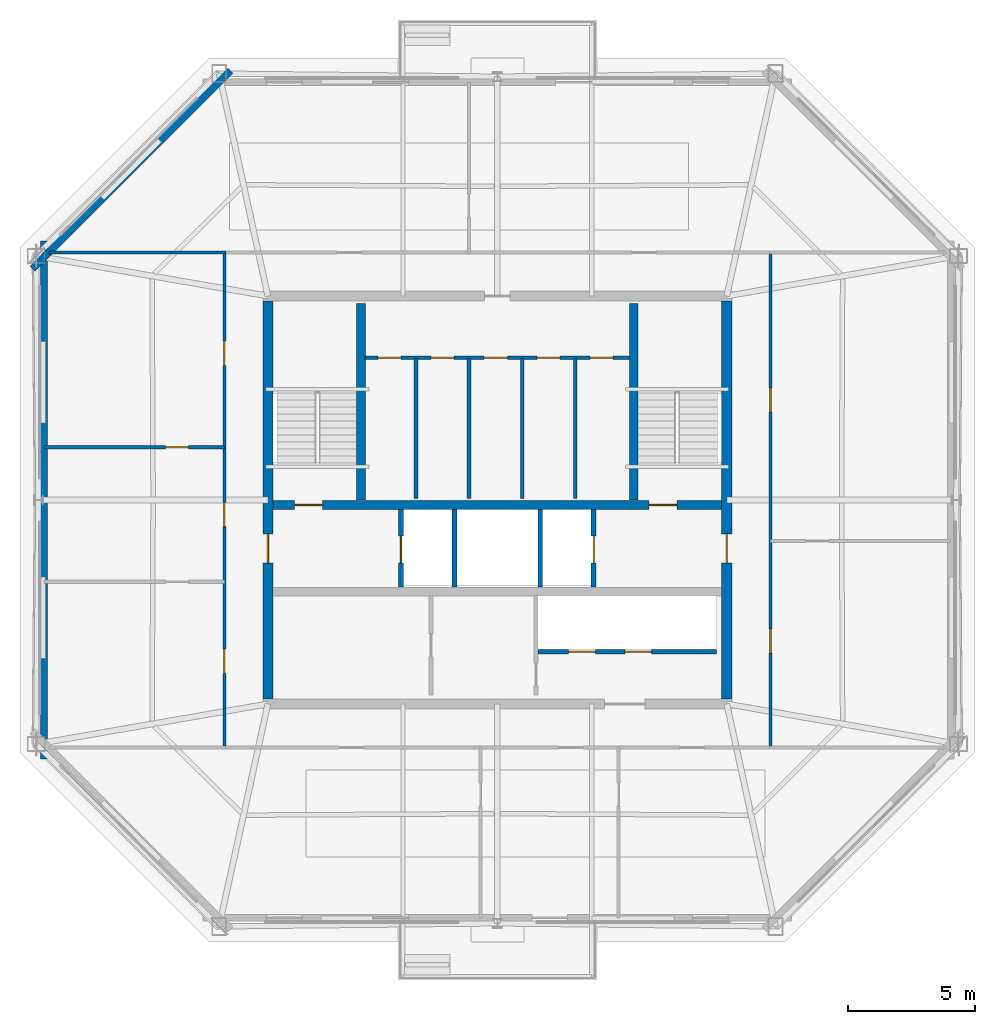
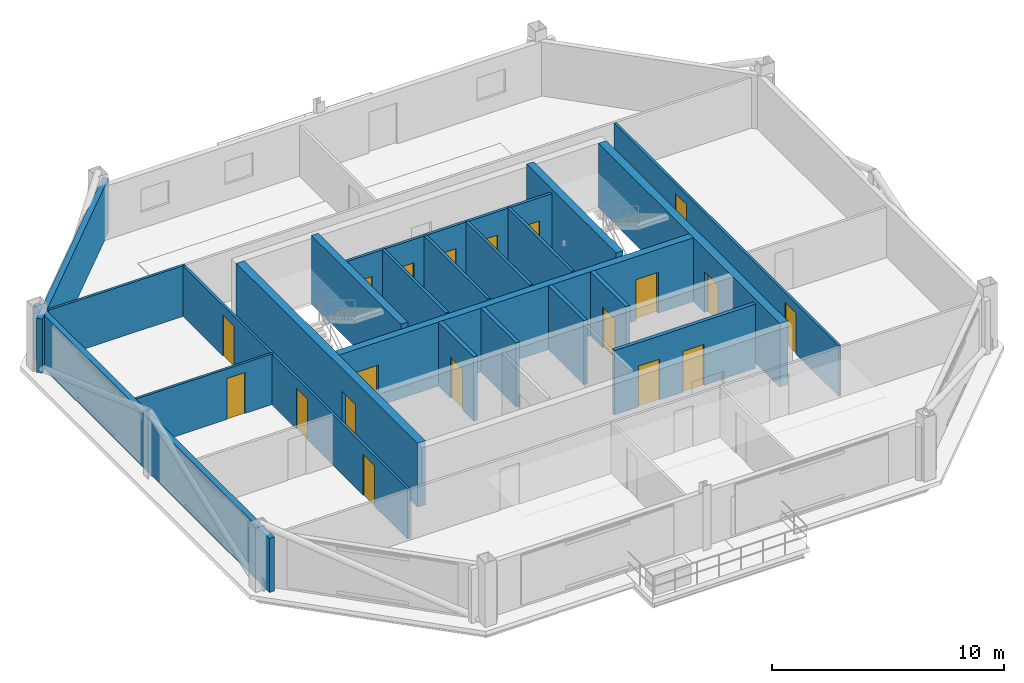
# One storey, part 3 of 6: 21 walls, 19 doors, 19 openings.
"""IFC4 building model written with IfcOpenShell, lengths in metres."""

from ifc_helpers import new_model, si_unit, direction, frame, frame_2d, origin, place, context, subcontext, project, spatial, rectangle, extrude, material, layer, layer_set, type_object, element, fill, save


model = new_model("IFC4")

# Units and contexts
model_context = context("Model", 3, precision=1e-05, world=origin(), true_north=direction((0.0, 1.0)))
body_context = subcontext(model_context, "Body", "Model", "MODEL_VIEW")
ifc_project = project(units=[si_unit("LENGTHUNIT", "METRE"), si_unit("AREAUNIT", "SQUARE_METRE"), si_unit("VOLUMEUNIT", "CUBIC_METRE"), si_unit("PLANEANGLEUNIT", "RADIAN"), si_unit("MASSUNIT", "GRAM", prefix="KILO")], contexts=[model_context])

# Site, building, storey
site_placement = place(None, origin())
site = spatial("IfcSite", under=ifc_project, at=site_placement, CompositionType="ELEMENT")
building_placement = place(site_placement, origin())
building = spatial("IfcBuilding", under=site, at=building_placement, Name="Caelvoria Tower", CompositionType="ELEMENT")
storey_placement = place(building_placement, frame((0.0, 0.0, 261.0)))
storey = spatial("IfcBuildingStorey", under=building, at=storey_placement, Name="L69", CompositionType="ELEMENT", Elevation=261.0)

# Wall, openings, doors
ifc_material_1 = material(Name="Concrete C50/60", Category="concrete")
ifc_layer_1 = layer(ifc_material_1, 0.35009765625, Name="Concrete C50/60")
ifc_layer_set_1 = layer_set([ifc_layer_1], Name="Core Internal Shear Wall 350 - Concrete C50/60")
wall_type_1 = type_object("IfcWallType", Name="Core Internal Shear Wall 350", PredefinedType="SHEAR", material=ifc_layer_set_1)
wall_1_placement = place(storey_placement, frame((37.199951171875, 31.800048828125, 0.0), z_axis=(0.0, 0.0, 1.0), x_axis=(1.0, 0.0, 0.0)))
wall_1 = element("IfcWall", 1, at=wall_1_placement, inside=storey, type_object=wall_type_1, Name="Core Shear Wall L69 M1", PredefinedType="SHEAR", context=body_context, shape_type="SweptSolid", body=[
    extrude(rectangle(XDim=17.60009765625, YDim=0.35009765625, at=frame_2d((8.800048828125, 0.0))), origin(), (0.0, 0.0, 1.0), 3.360107421875),
])
opening_1_placement = place(wall_1_placement, frame((0.85009765625, 0.0, 0.0)))
opening_1 = element("IfcOpeningElement", 2, at=opening_1_placement, cuts=wall_1, Name="Opening ID-01", PredefinedType="OPENING", context=body_context, shape_type="SweptSolid", body=[
    extrude(rectangle(XDim=1.10009765625, YDim=2.14990234375, at=frame_2d((0.550048828125, 1.074951171875))), frame((0.0, 0.18505859375, 0.0), z_axis=(0.0, -1.0, 0.0), x_axis=(1.0, 0.0, 0.0)), (0.0, 0.0, 1.0), 0.3701171875),
])
opening_2_placement = place(wall_1_placement, frame((14.75, 0.0, 0.0)))
opening_2 = element("IfcOpeningElement", 3, at=opening_2_placement, cuts=wall_1, Name="Opening ID-01", PredefinedType="OPENING", context=body_context, shape_type="SweptSolid", body=[
    extrude(rectangle(XDim=1.10009765625, YDim=2.14990234375, at=frame_2d((0.550048828125, 1.074951171875))), frame((0.0, 0.18505859375, 0.0), z_axis=(0.0, -1.0, 0.0), x_axis=(1.0, 0.0, 0.0)), (0.0, 0.0, 1.0), 0.3701171875),
])
ifc_material_2 = material(Name="Painted Hollow Steel Fire Door", Category="steel")
door_type_1 = type_object("IfcDoorType", Name="Fire Door FD90S 1100x2150", OperationType="NOTDEFINED", PredefinedType="DOOR", material=ifc_material_2)
door_1_placement = place(opening_1_placement, origin())
door_1 = element("IfcDoor", 4, at=door_1_placement, inside=storey, type_object=door_type_1, Name="Core Door DR-L69-ST1", OperationType="SINGLE_SWING_LEFT", OverallHeight=2.14990234375, OverallWidth=1.10009765625, PredefinedType="DOOR", context=body_context, shape_type="SweptSolid", body=[
    extrude(rectangle(XDim=1.10009765625, YDim=2.14990234375, at=frame_2d((0.550048828125, 1.074951171875))), frame((0.0, 0.02490234375, 0.0), z_axis=(0.0, -1.0, 0.0), x_axis=(1.0, 0.0, 0.0)), (0.0, 0.0, 1.0), 0.050048828125),
])
fill(opening_1, door_1)
door_2_placement = place(opening_2_placement, origin())
door_2 = element("IfcDoor", 5, at=door_2_placement, inside=storey, type_object=door_type_1, Name="Core Door DR-L69-ST2", OperationType="SINGLE_SWING_RIGHT", OverallHeight=2.14990234375, OverallWidth=1.10009765625, PredefinedType="DOOR", context=body_context, shape_type="SweptSolid", body=[
    extrude(rectangle(XDim=1.10009765625, YDim=2.14990234375, at=frame_2d((0.550048828125, 1.074951171875))), frame((0.0, 0.02490234375, 0.0), z_axis=(0.0, -1.0, 0.0), x_axis=(1.0, 0.0, 0.0)), (0.0, 0.0, 1.0), 0.050048828125),
])
fill(opening_2, door_2)

# Walls
for number, where, z_axis, x_axis, name in (
    (6, (40.64990234375, 32.0, 0.0), (0.0, 0.0, 1.0), (0.0, 1.0, 0.0), "Interior Partition IW-L69-ST1E"),
    (7, (51.35009765625, 32.0, 0.0), (0.0, 0.0, 1.0), (0.0, 1.0, 0.0), "Interior Partition IW-L69-ST2W"),
):
    element("IfcWall", number, at=place(storey_placement, frame(where, z_axis=z_axis, x_axis=x_axis)), inside=storey, type_object=wall_type_1, Name=name, PredefinedType="SHEAR", context=body_context, shape_type="SweptSolid", body=[
        extrude(rectangle(XDim=7.699951171875, YDim=0.35009765625, at=frame_2d((3.85009765625, 0.0))), origin(), (0.0, 0.0, 1.0), 3.60009765625),
    ])
ifc_material_3 = material(Name="Moisture-Resistant Gypsum on Steel Stud", Category="steel")
ifc_layer_2 = layer(ifc_material_3, 0.139892578125, Name="Moisture-Resistant Gypsum on Steel Stud")
ifc_layer_set_2 = layer_set([ifc_layer_2], Name="Core Sanitary Acoustic Partition Wall 140 - Moisture-Resistant Gypsum on Steel Stud")
wall_type_2 = type_object("IfcWallType", Name="Core Sanitary Acoustic Partition Wall 140", PredefinedType="PARTITIONING", material=ifc_layer_set_2)
for number, where, z_axis, x_axis, name in (
    (8, (42.81005859375, 32.050048828125, 0.0), (0.0, 0.0, 1.0), (0.0, 1.0, 0.0), "Interior Partition IW-L69-C1V0"),
    (9, (44.889892578125, 32.050048828125, 0.0), (0.0, 0.0, 1.0), (0.0, 1.0, 0.0), "Interior Partition IW-L69-C1V1"),
    (10, (46.969970703125, 32.050048828125, 0.0), (0.0, 0.0, 1.0), (0.0, 1.0, 0.0), "Interior Partition IW-L69-C1V2"),
    (11, (49.050048828125, 32.050048828125, 0.0), (0.0, 0.0, 1.0), (0.0, 1.0, 0.0), "Interior Partition IW-L69-C1V3"),
):
    element("IfcWall", number, at=place(storey_placement, frame(where, z_axis=z_axis, x_axis=x_axis)), inside=storey, type_object=wall_type_2, Name=name, PredefinedType="PARTITIONING", context=body_context, shape_type="SweptSolid", body=[
        extrude(rectangle(XDim=5.5, YDim=0.139892578125, at=frame_2d((2.75, 0.0))), origin(), (0.0, 0.0, 1.0), 3.375),
    ])

# Wall, openings, doors
wall_2_placement = place(storey_placement, frame((40.800048828125, 37.580078125, 0.0), z_axis=(0.0, 0.0, 1.0), x_axis=(1.0, 0.0, 0.0)))
wall_2 = element("IfcWall", 12, at=wall_2_placement, inside=storey, type_object=wall_type_2, Name="Interior Partition IW-L69-C1H", PredefinedType="PARTITIONING", context=body_context, shape_type="SweptSolid", body=[
    extrude(rectangle(XDim=10.39990234375, YDim=0.139892578125, at=frame_2d((5.199951171875, 0.0))), origin(), (0.0, 0.0, 1.0), 3.375),
])
opening_3_placement = place(wall_2_placement, frame((0.52001953125, 0.0, 0.0)))
opening_3 = element("IfcOpeningElement", 13, at=opening_3_placement, cuts=wall_2, Name="Opening ID-06", PredefinedType="OPENING", context=body_context, shape_type="SweptSolid", body=[
    extrude(rectangle(XDim=0.89990234375, YDim=2.14990234375, at=frame_2d((0.449951171875, 1.074951171875))), frame((0.0, 0.079833984375, 0.0), z_axis=(0.0, -1.0, 0.0), x_axis=(1.0, 0.0, 0.0)), (0.0, 0.0, 1.0), 0.159912109375),
])
opening_4_placement = place(wall_2_placement, frame((2.60009765625, 0.0, 0.0)))
opening_4 = element("IfcOpeningElement", 14, at=opening_4_placement, cuts=wall_2, Name="Opening ID-06", PredefinedType="OPENING", context=body_context, shape_type="SweptSolid", body=[
    extrude(rectangle(XDim=0.89990234375, YDim=2.14990234375, at=frame_2d((0.449951171875, 1.074951171875))), frame((0.0, 0.079833984375, 0.0), z_axis=(0.0, -1.0, 0.0), x_axis=(1.0, 0.0, 0.0)), (0.0, 0.0, 1.0), 0.159912109375),
])
opening_5_placement = place(wall_2_placement, frame((4.679931640625, 0.0, 0.0)))
opening_5 = element("IfcOpeningElement", 15, at=opening_5_placement, cuts=wall_2, Name="Opening ID-07", PredefinedType="OPENING", context=body_context, shape_type="SweptSolid", body=[
    extrude(rectangle(XDim=0.919921875, YDim=2.14990234375, at=frame_2d((0.4599609375, 1.074951171875))), frame((0.0, 0.079833984375, 0.0), z_axis=(0.0, -1.0, 0.0), x_axis=(1.0, 0.0, 0.0)), (0.0, 0.0, 1.0), 0.159912109375),
])
opening_6_placement = place(wall_2_placement, frame((6.760009765625, 0.0, 0.0)))
opening_6 = element("IfcOpeningElement", 16, at=opening_6_placement, cuts=wall_2, Name="Opening ID-06", PredefinedType="OPENING", context=body_context, shape_type="SweptSolid", body=[
    extrude(rectangle(XDim=0.89990234375, YDim=2.14990234375, at=frame_2d((0.449951171875, 1.074951171875))), frame((0.0, 0.079833984375, 0.0), z_axis=(0.0, -1.0, 0.0), x_axis=(1.0, 0.0, 0.0)), (0.0, 0.0, 1.0), 0.159912109375),
])
opening_7_placement = place(wall_2_placement, frame((8.840087890625, 0.0, 0.0)))
opening_7 = element("IfcOpeningElement", 17, at=opening_7_placement, cuts=wall_2, Name="Opening ID-06", PredefinedType="OPENING", context=body_context, shape_type="SweptSolid", body=[
    extrude(rectangle(XDim=0.89990234375, YDim=2.14990234375, at=frame_2d((0.449951171875, 1.074951171875))), frame((0.0, 0.079833984375, 0.0), z_axis=(0.0, -1.0, 0.0), x_axis=(1.0, 0.0, 0.0)), (0.0, 0.0, 1.0), 0.159912109375),
])
ifc_material_4 = material(Name="Engineered Andean Oak Accessible Door", Category="wood")
door_type_2 = type_object("IfcDoorType", Name="Accessible WC Door 950x2150", OperationType="NOTDEFINED", PredefinedType="DOOR", material=ifc_material_4)
door_3_placement = place(opening_5_placement, origin())
door_3 = element("IfcDoor", 18, at=door_3_placement, inside=storey, type_object=door_type_2, Name="Interior Door DR-L69-C1-3", OperationType="SINGLE_SWING_LEFT", OverallHeight=2.14990234375, OverallWidth=0.919921875, PredefinedType="DOOR", context=body_context, shape_type="SweptSolid", body=[
    extrude(rectangle(XDim=0.919921875, YDim=2.14990234375, at=frame_2d((0.4599609375, 1.074951171875))), frame((0.0, 0.02490234375, 0.0), z_axis=(0.0, -1.0, 0.0), x_axis=(1.0, 0.0, 0.0)), (0.0, 0.0, 1.0), 0.050048828125),
])
fill(opening_5, door_3)
ifc_material_5 = material(Name="Engineered Andean Oak Veneer Door", Category="wood")
door_type_3 = type_object("IfcDoorType", Name="Interior Timber Door 900x2150", OperationType="NOTDEFINED", PredefinedType="DOOR", material=ifc_material_5)
door_4_placement = place(opening_3_placement, origin())
door_4 = element("IfcDoor", 19, at=door_4_placement, inside=storey, type_object=door_type_3, Name="Interior Door DR-L69-C1-1", OperationType="SINGLE_SWING_LEFT", OverallHeight=2.14990234375, OverallWidth=0.89990234375, PredefinedType="DOOR", context=body_context, shape_type="SweptSolid", body=[
    extrude(rectangle(XDim=0.89990234375, YDim=2.14990234375, at=frame_2d((0.449951171875, 1.074951171875))), frame((0.0, 0.02490234375, 0.0), z_axis=(0.0, -1.0, 0.0), x_axis=(1.0, 0.0, 0.0)), (0.0, 0.0, 1.0), 0.050048828125),
])
fill(opening_3, door_4)
door_5_placement = place(opening_4_placement, origin())
door_5 = element("IfcDoor", 20, at=door_5_placement, inside=storey, type_object=door_type_3, Name="Interior Door DR-L69-C1-2", OperationType="SINGLE_SWING_RIGHT", OverallHeight=2.14990234375, OverallWidth=0.89990234375, PredefinedType="DOOR", context=body_context, shape_type="SweptSolid", body=[
    extrude(rectangle(XDim=0.89990234375, YDim=2.14990234375, at=frame_2d((0.449951171875, 1.074951171875))), frame((0.0, 0.02490234375, 0.0), z_axis=(0.0, -1.0, 0.0), x_axis=(1.0, 0.0, 0.0)), (0.0, 0.0, 1.0), 0.050048828125),
])
fill(opening_4, door_5)
door_6_placement = place(opening_6_placement, origin())
door_6 = element("IfcDoor", 21, at=door_6_placement, inside=storey, type_object=door_type_3, Name="Interior Door DR-L69-C1-4", OperationType="SINGLE_SWING_RIGHT", OverallHeight=2.14990234375, OverallWidth=0.89990234375, PredefinedType="DOOR", context=body_context, shape_type="SweptSolid", body=[
    extrude(rectangle(XDim=0.89990234375, YDim=2.14990234375, at=frame_2d((0.449951171875, 1.074951171875))), frame((0.0, 0.02490234375, 0.0), z_axis=(0.0, -1.0, 0.0), x_axis=(1.0, 0.0, 0.0)), (0.0, 0.0, 1.0), 0.050048828125),
])
fill(opening_6, door_6)
door_7_placement = place(opening_7_placement, origin())
door_7 = element("IfcDoor", 22, at=door_7_placement, inside=storey, type_object=door_type_3, Name="Interior Door DR-L69-C1-5", OperationType="SINGLE_SWING_LEFT", OverallHeight=2.14990234375, OverallWidth=0.89990234375, PredefinedType="DOOR", context=body_context, shape_type="SweptSolid", body=[
    extrude(rectangle(XDim=0.89990234375, YDim=2.14990234375, at=frame_2d((0.449951171875, 1.074951171875))), frame((0.0, 0.02490234375, 0.0), z_axis=(0.0, -1.0, 0.0), x_axis=(1.0, 0.0, 0.0)), (0.0, 0.0, 1.0), 0.050048828125),
])
fill(opening_7, door_7)

# Walls
ifc_material_6 = material(Name="Concrete Block and Fireboard Assembly", Category="concrete")
ifc_layer_3 = layer(ifc_material_6, 0.179931640625, Name="Concrete Block and Fireboard Assembly")
ifc_layer_set_3 = layer_set([ifc_layer_3], Name="Fire-Rated Hoistway Partition Wall 180 - Concrete Block and Fireboard Assembly")
wall_type_3 = type_object("IfcWallType", Name="Fire-Rated Hoistway Partition Wall 180", PredefinedType="PARTITIONING", material=ifc_layer_set_3)
for number, where, z_axis, x_axis, name in (
    (23, (44.320068359375, 28.580078125, 0.0), (0.0, 0.0, 1.0), (0.0, 1.0, 0.0), "Interior Partition IW-L69-SV1W"),
    (24, (47.679931640625, 28.580078125, 0.0), (0.0, 0.0, 1.0), (0.0, 1.0, 0.0), "Interior Partition IW-L69-SV1E"),
):
    element("IfcWall", number, at=place(storey_placement, frame(where, z_axis=z_axis, x_axis=x_axis)), inside=storey, type_object=wall_type_3, Name=name, PredefinedType="PARTITIONING", context=body_context, shape_type="SweptSolid", body=[
        extrude(rectangle(XDim=3.0400390625, YDim=0.179931640625, at=frame_2d((1.52001953125, 0.0))), origin(), (0.0, 0.0, 1.0), 3.375),
    ])

# Wall, openings, doors
wall_3_placement = place(storey_placement, frame((47.60009765625, 26.050048828125, 0.0), z_axis=(0.0, 0.0, 1.0), x_axis=(1.0, 0.0, 0.0)))
wall_3 = element("IfcWall", 25, at=wall_3_placement, inside=storey, type_object=wall_type_3, Name="Interior Partition IW-L69-LFRONT", PredefinedType="PARTITIONING", context=body_context, shape_type="SweptSolid", body=[
    extrude(rectangle(XDim=7.0, YDim=0.179931640625, at=frame_2d((3.5, 0.0))), origin(), (0.0, 0.0, 1.0), 3.375),
])
opening_8_placement = place(wall_3_placement, frame((1.199951171875, 0.0, 0.0)))
opening_8 = element("IfcOpeningElement", 26, at=opening_8_placement, cuts=wall_3, Name="Opening LD-01", PredefinedType="OPENING", context=body_context, shape_type="SweptSolid", body=[
    extrude(rectangle(XDim=1.050048828125, YDim=2.14990234375, at=frame_2d((0.52490234375, 1.074951171875))), frame((0.0, 0.099853515625, 0.0), z_axis=(0.0, -1.0, 0.0), x_axis=(1.0, 0.0, 0.0)), (0.0, 0.0, 1.0), 0.199951171875),
])
opening_9_placement = place(wall_3_placement, frame((3.39990234375, 0.0, 0.0)))
opening_9 = element("IfcOpeningElement", 27, at=opening_9_placement, cuts=wall_3, Name="Opening LD-01", PredefinedType="OPENING", context=body_context, shape_type="SweptSolid", body=[
    extrude(rectangle(XDim=1.050048828125, YDim=2.14990234375, at=frame_2d((0.52490234375, 1.074951171875))), frame((0.0, 0.099853515625, 0.0), z_axis=(0.0, -1.0, 0.0), x_axis=(1.0, 0.0, 0.0)), (0.0, 0.0, 1.0), 0.199951171875),
])
ifc_material_7 = material(Name="Brushed Bronze Stainless Sliding Landing Door", Category="aluminium")
door_type_4 = type_object("IfcDoorType", Name="Lift Landing Sliding Door 1100x2150", OperationType="NOTDEFINED", PredefinedType="DOOR", material=ifc_material_7)
door_8_placement = place(opening_8_placement, origin())
door_8 = element("IfcDoor", 28, at=door_8_placement, inside=storey, type_object=door_type_4, Name="Interior Door LD-L69-PH1", OperationType="SLIDING_TO_LEFT", OverallHeight=2.14990234375, OverallWidth=1.050048828125, PredefinedType="DOOR", context=body_context, shape_type="SweptSolid", body=[
    extrude(rectangle(XDim=1.050048828125, YDim=2.14990234375, at=frame_2d((0.52490234375, 1.074951171875))), frame((0.0, 0.02490234375, 0.0), z_axis=(0.0, -1.0, 0.0), x_axis=(1.0, 0.0, 0.0)), (0.0, 0.0, 1.0), 0.050048828125),
])
fill(opening_8, door_8)
door_9_placement = place(opening_9_placement, origin())
door_9 = element("IfcDoor", 29, at=door_9_placement, inside=storey, type_object=door_type_4, Name="Interior Door LD-L69-PH2", OperationType="SLIDING_TO_RIGHT", OverallHeight=2.14990234375, OverallWidth=1.050048828125, PredefinedType="DOOR", context=body_context, shape_type="SweptSolid", body=[
    extrude(rectangle(XDim=1.050048828125, YDim=2.14990234375, at=frame_2d((0.52490234375, 1.074951171875))), frame((0.0, 0.02490234375, 0.0), z_axis=(0.0, -1.0, 0.0), x_axis=(1.0, 0.0, 0.0)), (0.0, 0.0, 1.0), 0.050048828125),
])
fill(opening_9, door_9)

# Wall, opening, door
ifc_layer_4 = layer(ifc_material_6, 0.199951171875, Name="Concrete Block and Fireboard Assembly")
ifc_layer_set_4 = layer_set([ifc_layer_4], Name="Fire-Rated Shaft and Core Partition Wall 200 - Concrete Block and Fireboard Assembly")
wall_type_4 = type_object("IfcWallType", Name="Fire-Rated Shaft and Core Partition Wall 200", PredefinedType="PARTITIONING", material=ifc_layer_set_4)
wall_4_placement = place(storey_placement, frame((42.219970703125, 28.580078125, 0.0), z_axis=(0.0, 0.0, 1.0), x_axis=(0.0, 1.0, 0.0)))
wall_4 = element("IfcWall", 30, at=wall_4_placement, inside=storey, type_object=wall_type_4, Name="Interior Partition IW-L69-LF1W", PredefinedType="PARTITIONING", context=body_context, shape_type="SweptSolid", body=[
    extrude(rectangle(XDim=3.0400390625, YDim=0.199951171875, at=frame_2d((1.52001953125, 0.0))), origin(), (0.0, 0.0, 1.0), 3.375),
])
opening_10_placement = place(wall_4_placement, frame((0.949951171875, 0.0, 0.0)))
opening_10 = element("IfcOpeningElement", 31, at=opening_10_placement, cuts=wall_4, Name="Opening LD-01", PredefinedType="OPENING", context=body_context, shape_type="SweptSolid", body=[
    extrude(rectangle(XDim=1.050048828125, YDim=2.14990234375, at=frame_2d((0.52490234375, 1.074951171875))), frame((0.0, 0.10986328125, 0.0), z_axis=(0.0, -1.0, 0.0), x_axis=(1.0, 0.0, 0.0)), (0.0, 0.0, 1.0), 0.219970703125),
])
door_10_placement = place(opening_10_placement, origin())
door_10 = element("IfcDoor", 32, at=door_10_placement, inside=storey, type_object=door_type_4, Name="Interior Door LD-L69-LF1", OperationType="SLIDING_TO_LEFT", OverallHeight=2.14990234375, OverallWidth=1.050048828125, PredefinedType="DOOR", context=body_context, shape_type="SweptSolid", body=[
    extrude(rectangle(XDim=1.050048828125, YDim=2.14990234375, at=frame_2d((0.52490234375, 1.074951171875))), frame((0.0, 0.02490234375, 0.0), z_axis=(0.0, -1.0, 0.0), x_axis=(1.0, 0.0, 0.0)), (0.0, 0.0, 1.0), 0.050048828125),
])
fill(opening_10, door_10)

wall_5_placement = place(storey_placement, frame((49.780029296875, 28.580078125, 0.0), z_axis=(0.0, 0.0, 1.0), x_axis=(0.0, 1.0, 0.0)))
wall_5 = element("IfcWall", 33, at=wall_5_placement, inside=storey, type_object=wall_type_4, Name="Interior Partition IW-L69-LF2E", PredefinedType="PARTITIONING", context=body_context, shape_type="SweptSolid", body=[
    extrude(rectangle(XDim=3.0400390625, YDim=0.199951171875, at=frame_2d((1.52001953125, 0.0))), origin(), (0.0, 0.0, 1.0), 3.375),
])
opening_11_placement = place(wall_5_placement, frame((0.949951171875, 0.0, 0.0)))
opening_11 = element("IfcOpeningElement", 34, at=opening_11_placement, cuts=wall_5, Name="Opening LD-01", PredefinedType="OPENING", context=body_context, shape_type="SweptSolid", body=[
    extrude(rectangle(XDim=1.050048828125, YDim=2.14990234375, at=frame_2d((0.52490234375, 1.074951171875))), frame((0.0, 0.10986328125, 0.0), z_axis=(0.0, -1.0, 0.0), x_axis=(1.0, 0.0, 0.0)), (0.0, 0.0, 1.0), 0.219970703125),
])
door_11_placement = place(opening_11_placement, origin())
door_11 = element("IfcDoor", 35, at=door_11_placement, inside=storey, type_object=door_type_4, Name="Interior Door LD-L69-LF2", OperationType="SLIDING_TO_RIGHT", OverallHeight=2.14990234375, OverallWidth=1.050048828125, PredefinedType="DOOR", context=body_context, shape_type="SweptSolid", body=[
    extrude(rectangle(XDim=1.050048828125, YDim=2.14990234375, at=frame_2d((0.52490234375, 1.074951171875))), frame((0.0, 0.02490234375, 0.0), z_axis=(0.0, -1.0, 0.0), x_axis=(1.0, 0.0, 0.0)), (0.0, 0.0, 1.0), 0.050048828125),
])
fill(opening_11, door_11)

ifc_layer_5 = layer(ifc_material_1, 0.39990234375, Name="Concrete C50/60")
ifc_layer_set_5 = layer_set([ifc_layer_5], Name="Summit Core Shear Wall 400 - Concrete C50/60")
wall_type_5 = type_object("IfcWallType", Name="Summit Core Shear Wall 400", PredefinedType="SHEAR", material=ifc_layer_set_5)
wall_6_placement = place(storey_placement, frame((37.0, 24.199951171875, 0.0), z_axis=(0.0, 0.0, 1.0), x_axis=(0.0, 1.0, 0.0)))
wall_6 = element("IfcWall", 36, at=wall_6_placement, inside=storey, type_object=wall_type_5, Name="Core Shear Wall L69 W", PredefinedType="SHEAR", context=body_context, shape_type="SweptSolid", body=[
    extrude(rectangle(XDim=15.60009765625, YDim=0.39990234375, at=frame_2d((7.800048828125, 0.0))), origin(), (0.0, 0.0, 1.0), 3.360107421875),
])
opening_12_placement = place(wall_6_placement, frame((5.324951171875, 0.0, 0.0)))
opening_12 = element("IfcOpeningElement", 37, at=opening_12_placement, cuts=wall_6, Name="Opening ID-02", PredefinedType="OPENING", context=body_context, shape_type="SweptSolid", body=[
    extrude(rectangle(XDim=1.14990234375, YDim=2.14990234375, at=frame_2d((0.574951171875, 1.074951171875))), frame((0.0, 0.2099609375, 0.0), z_axis=(0.0, -1.0, 0.0), x_axis=(1.0, 0.0, 0.0)), (0.0, 0.0, 1.0), 0.419921875),
])
door_type_5 = type_object("IfcDoorType", Name="Fire Door FD60S 1150x2150", OperationType="NOTDEFINED", PredefinedType="DOOR", material=ifc_material_2)
door_12_placement = place(opening_12_placement, origin())
door_12 = element("IfcDoor", 38, at=door_12_placement, inside=storey, type_object=door_type_5, Name="Core Door DR-L69-FFLW-OUT", OperationType="SINGLE_SWING_LEFT", OverallHeight=2.14990234375, OverallWidth=1.14990234375, PredefinedType="DOOR", context=body_context, shape_type="SweptSolid", body=[
    extrude(rectangle(XDim=1.14990234375, YDim=2.14990234375, at=frame_2d((0.574951171875, 1.074951171875))), frame((0.0, 0.02490234375, 0.0), z_axis=(0.0, -1.0, 0.0), x_axis=(1.0, 0.0, 0.0)), (0.0, 0.0, 1.0), 0.050048828125),
])
fill(opening_12, door_12)

wall_7_placement = place(storey_placement, frame((55.0, 24.199951171875, 0.0), z_axis=(0.0, 0.0, 1.0), x_axis=(0.0, 1.0, 0.0)))
wall_7 = element("IfcWall", 39, at=wall_7_placement, inside=storey, type_object=wall_type_5, Name="Core Shear Wall L69 E", PredefinedType="SHEAR", context=body_context, shape_type="SweptSolid", body=[
    extrude(rectangle(XDim=15.60009765625, YDim=0.39990234375, at=frame_2d((7.800048828125, 0.0))), origin(), (0.0, 0.0, 1.0), 3.360107421875),
])
opening_13_placement = place(wall_7_placement, frame((5.324951171875, 0.0, 0.0)))
opening_13 = element("IfcOpeningElement", 40, at=opening_13_placement, cuts=wall_7, Name="Opening ID-02", PredefinedType="OPENING", context=body_context, shape_type="SweptSolid", body=[
    extrude(rectangle(XDim=1.14990234375, YDim=2.14990234375, at=frame_2d((0.574951171875, 1.074951171875))), frame((0.0, 0.2099609375, 0.0), z_axis=(0.0, -1.0, 0.0), x_axis=(1.0, 0.0, 0.0)), (0.0, 0.0, 1.0), 0.419921875),
])
door_13_placement = place(opening_13_placement, origin())
door_13 = element("IfcDoor", 41, at=door_13_placement, inside=storey, type_object=door_type_5, Name="Core Door DR-L69-FFLE-OUT", OperationType="SINGLE_SWING_RIGHT", OverallHeight=2.14990234375, OverallWidth=1.14990234375, PredefinedType="DOOR", context=body_context, shape_type="SweptSolid", body=[
    extrude(rectangle(XDim=1.14990234375, YDim=2.14990234375, at=frame_2d((0.574951171875, 1.074951171875))), frame((0.0, 0.02490234375, 0.0), z_axis=(0.0, -1.0, 0.0), x_axis=(1.0, 0.0, 0.0)), (0.0, 0.0, 1.0), 0.050048828125),
])
fill(opening_13, door_13)

ifc_material_8 = material(Name="Acoustic Gypsum Board on Light-Gauge Stud", Category="gypsum")
ifc_layer_6 = layer(ifc_material_8, 0.1201171875, Name="Acoustic Gypsum Board on Light-Gauge Stud")
ifc_layer_set_6 = layer_set([ifc_layer_6], Name="Tenant Suite Acoustic Partition Wall 120 - Acoustic Gypsum Board on Light-Gauge Stud")
wall_type_6 = type_object("IfcWallType", Name="Tenant Suite Acoustic Partition Wall 120", PredefinedType="PARTITIONING", material=ifc_layer_set_6)
wall_8_placement = place(storey_placement, frame((35.2900390625, 34.069091796875, 0.0), z_axis=(0.0, 0.0, 1.0), x_axis=(-1.0, 0.0, 0.0)))
wall_8 = element("IfcWall", 42, at=wall_8_placement, inside=storey, type_object=wall_type_6, Name="Interior Partition IW-L69-WD-01-0", PredefinedType="PARTITIONING", context=body_context, shape_type="SweptSolid", body=[
    extrude(rectangle(XDim=7.07275390625, YDim=0.1201171875, at=frame_2d((3.536376953125, 0.0))), origin(), (0.0, 0.0, 1.0), 2.655029296875),
])
opening_14_placement = place(wall_8_placement, frame((1.39990234375, 0.0, 0.0)))
opening_14 = element("IfcOpeningElement", 43, at=opening_14_placement, cuts=wall_8, Name="Opening ID-06", PredefinedType="OPENING", context=body_context, shape_type="SweptSolid", body=[
    extrude(rectangle(XDim=0.89990234375, YDim=2.14990234375, at=frame_2d((0.449951171875, 1.074951171875))), frame((0.0, 0.070068359375, 0.0), z_axis=(0.0, -1.0, 0.0), x_axis=(1.0, 0.0, 0.0)), (0.0, 0.0, 1.0), 0.14013671875),
])
door_14_placement = place(opening_14_placement, origin())
door_14 = element("IfcDoor", 44, at=door_14_placement, inside=storey, type_object=door_type_3, Name="Interior Door DR-L69-WM-01-0", OperationType="SINGLE_SWING_LEFT", OverallHeight=2.14990234375, OverallWidth=0.89990234375, PredefinedType="DOOR", context=body_context, shape_type="SweptSolid", body=[
    extrude(rectangle(XDim=0.89990234375, YDim=2.14990234375, at=frame_2d((0.449951171875, 1.074951171875))), frame((0.0, 0.02490234375, 0.0), z_axis=(0.0, -1.0, 0.0), x_axis=(1.0, 0.0, 0.0)), (0.0, 0.0, 1.0), 0.050048828125),
])
fill(opening_14, door_14)

# Wall, openings, doors
wall_9_placement = place(storey_placement, frame((35.2900390625, 22.35009765625, 0.0), z_axis=(0.0, 0.0, 1.0), x_axis=(0.0, 1.0, 0.0)))
wall_9 = element("IfcWall", 45, at=wall_9_placement, inside=storey, type_object=wall_type_6, Name="Interior Partition IW-L69-WCW-0", PredefinedType="PARTITIONING", context=body_context, shape_type="SweptSolid", body=[
    extrude(rectangle(XDim=19.2998046875, YDim=0.1201171875, at=frame_2d((9.64990234375, 0.0))), origin(), (0.0, 0.0, 1.0), 2.655029296875),
])
opening_15_placement = place(wall_9_placement, frame((2.8466796875, 0.0, 0.0)))
opening_15 = element("IfcOpeningElement", 46, at=opening_15_placement, cuts=wall_9, Name="Opening ID-05", PredefinedType="OPENING", context=body_context, shape_type="SweptSolid", body=[
    extrude(rectangle(XDim=0.949951171875, YDim=2.14990234375, at=frame_2d((0.47509765625, 1.074951171875))), frame((0.0, 0.070068359375, 0.0), z_axis=(0.0, -1.0, 0.0), x_axis=(1.0, 0.0, 0.0)), (0.0, 0.0, 1.0), 0.14013671875),
])
opening_16_placement = place(wall_9_placement, frame((8.6064453125, 0.0, 0.0)))
opening_16 = element("IfcOpeningElement", 47, at=opening_16_placement, cuts=wall_9, Name="Opening ID-05", PredefinedType="OPENING", context=body_context, shape_type="SweptSolid", body=[
    extrude(rectangle(XDim=0.949951171875, YDim=2.14990234375, at=frame_2d((0.47509765625, 1.074951171875))), frame((0.0, 0.070068359375, 0.0), z_axis=(0.0, -1.0, 0.0), x_axis=(1.0, 0.0, 0.0)), (0.0, 0.0, 1.0), 0.14013671875),
])
opening_17_placement = place(wall_9_placement, frame((14.9345703125, 0.0, 0.0)))
opening_17 = element("IfcOpeningElement", 48, at=opening_17_placement, cuts=wall_9, Name="Opening ID-05", PredefinedType="OPENING", context=body_context, shape_type="SweptSolid", body=[
    extrude(rectangle(XDim=0.949951171875, YDim=2.14990234375, at=frame_2d((0.47509765625, 1.074951171875))), frame((0.0, 0.070068359375, 0.0), z_axis=(0.0, -1.0, 0.0), x_axis=(1.0, 0.0, 0.0)), (0.0, 0.0, 1.0), 0.14013671875),
])
door_type_6 = type_object("IfcDoorType", Name="Interior Timber Door 950x2150", OperationType="NOTDEFINED", PredefinedType="DOOR", material=ifc_material_5)
door_15_placement = place(opening_15_placement, origin())
door_15 = element("IfcDoor", 49, at=door_15_placement, inside=storey, type_object=door_type_6, Name="Interior Door DR-L69-WC-00-0", OperationType="SINGLE_SWING_RIGHT", OverallHeight=2.14990234375, OverallWidth=0.949951171875, PredefinedType="DOOR", context=body_context, shape_type="SweptSolid", body=[
    extrude(rectangle(XDim=0.949951171875, YDim=2.14990234375, at=frame_2d((0.47509765625, 1.074951171875))), frame((0.0, 0.02490234375, 0.0), z_axis=(0.0, -1.0, 0.0), x_axis=(1.0, 0.0, 0.0)), (0.0, 0.0, 1.0), 0.050048828125),
])
fill(opening_15, door_15)
door_16_placement = place(opening_16_placement, origin())
door_16 = element("IfcDoor", 50, at=door_16_placement, inside=storey, type_object=door_type_6, Name="Interior Door DR-L69-WC-01-0", OperationType="SINGLE_SWING_LEFT", OverallHeight=2.14990234375, OverallWidth=0.949951171875, PredefinedType="DOOR", context=body_context, shape_type="SweptSolid", body=[
    extrude(rectangle(XDim=0.949951171875, YDim=2.14990234375, at=frame_2d((0.47509765625, 1.074951171875))), frame((0.0, 0.02490234375, 0.0), z_axis=(0.0, -1.0, 0.0), x_axis=(1.0, 0.0, 0.0)), (0.0, 0.0, 1.0), 0.050048828125),
])
fill(opening_16, door_16)
door_17_placement = place(opening_17_placement, origin())
door_17 = element("IfcDoor", 51, at=door_17_placement, inside=storey, type_object=door_type_6, Name="Interior Door DR-L69-WC-02-0", OperationType="SINGLE_SWING_RIGHT", OverallHeight=2.14990234375, OverallWidth=0.949951171875, PredefinedType="DOOR", context=body_context, shape_type="SweptSolid", body=[
    extrude(rectangle(XDim=0.949951171875, YDim=2.14990234375, at=frame_2d((0.47509765625, 1.074951171875))), frame((0.0, 0.02490234375, 0.0), z_axis=(0.0, -1.0, 0.0), x_axis=(1.0, 0.0, 0.0)), (0.0, 0.0, 1.0), 0.050048828125),
])
fill(opening_17, door_17)

wall_10_placement = place(storey_placement, frame((56.7099609375, 22.35009765625, 0.0), z_axis=(0.0, 0.0, 1.0), x_axis=(0.0, 1.0, 0.0)))
wall_10 = element("IfcWall", 52, at=wall_10_placement, inside=storey, type_object=wall_type_6, Name="Interior Partition IW-L69-ECW-0", PredefinedType="PARTITIONING", context=body_context, shape_type="SweptSolid", body=[
    extrude(rectangle(XDim=19.2998046875, YDim=0.1201171875, at=frame_2d((9.64990234375, 0.0))), origin(), (0.0, 0.0, 1.0), 2.655029296875),
])
opening_18_placement = place(wall_10_placement, frame((3.646240234375, 0.0, 0.0)))
opening_18 = element("IfcOpeningElement", 53, at=opening_18_placement, cuts=wall_10, Name="Opening ID-05", PredefinedType="OPENING", context=body_context, shape_type="SweptSolid", body=[
    extrude(rectangle(XDim=0.949951171875, YDim=2.14990234375, at=frame_2d((0.47509765625, 1.074951171875))), frame((0.0, 0.070068359375, 0.0), z_axis=(0.0, -1.0, 0.0), x_axis=(1.0, 0.0, 0.0)), (0.0, 0.0, 1.0), 0.14013671875),
])
opening_19_placement = place(wall_10_placement, frame((13.09619140625, 0.0, 0.0)))
opening_19 = element("IfcOpeningElement", 54, at=opening_19_placement, cuts=wall_10, Name="Opening ID-05", PredefinedType="OPENING", context=body_context, shape_type="SweptSolid", body=[
    extrude(rectangle(XDim=0.949951171875, YDim=2.14990234375, at=frame_2d((0.47509765625, 1.074951171875))), frame((0.0, 0.070068359375, 0.0), z_axis=(0.0, -1.0, 0.0), x_axis=(1.0, 0.0, 0.0)), (0.0, 0.0, 1.0), 0.14013671875),
])
door_18_placement = place(opening_18_placement, origin())
door_18 = element("IfcDoor", 55, at=door_18_placement, inside=storey, type_object=door_type_6, Name="Interior Door DR-L69-EC-00-0", OperationType="SINGLE_SWING_RIGHT", OverallHeight=2.14990234375, OverallWidth=0.949951171875, PredefinedType="DOOR", context=body_context, shape_type="SweptSolid", body=[
    extrude(rectangle(XDim=0.949951171875, YDim=2.14990234375, at=frame_2d((0.47509765625, 1.074951171875))), frame((0.0, 0.02490234375, 0.0), z_axis=(0.0, -1.0, 0.0), x_axis=(1.0, 0.0, 0.0)), (0.0, 0.0, 1.0), 0.050048828125),
])
fill(opening_18, door_18)
door_19_placement = place(opening_19_placement, origin())
door_19 = element("IfcDoor", 56, at=door_19_placement, inside=storey, type_object=door_type_6, Name="Interior Door DR-L69-EC-01-0", OperationType="SINGLE_SWING_LEFT", OverallHeight=2.14990234375, OverallWidth=0.949951171875, PredefinedType="DOOR", context=body_context, shape_type="SweptSolid", body=[
    extrude(rectangle(XDim=0.949951171875, YDim=2.14990234375, at=frame_2d((0.47509765625, 1.074951171875))), frame((0.0, 0.02490234375, 0.0), z_axis=(0.0, -1.0, 0.0), x_axis=(1.0, 0.0, 0.0)), (0.0, 0.0, 1.0), 0.050048828125),
])
fill(opening_19, door_19)

# Walls
wall_11_placement = place(storey_placement, frame((35.35009765625, 41.7099609375, 0.0), z_axis=(0.0, 0.0, 1.0), x_axis=(-1.0, 0.0, 0.0)))
element("IfcWall", 57, at=wall_11_placement, inside=storey, type_object=wall_type_6, Name="Interior Partition IW-L69-BNW-0", PredefinedType="PARTITIONING", context=body_context, shape_type="SweptSolid", body=[
    extrude(rectangle(XDim=6.9423828125, YDim=0.1201171875, at=frame_2d((3.47119140625, 0.0))), origin(), (0.0, 0.0, 1.0), 2.655029296875),
])
ifc_material_9 = material(Name="Precast Concrete C40/50 with Bronze Cladding", Category="concrete")
ifc_layer_7 = layer(ifc_material_9, 0.264892578125, Name="Precast Concrete C40/50 with Bronze Cladding")
ifc_layer_set_7 = layer_set([ifc_layer_7], Name="Upper Taper Precast Concrete C40/50 Bronze Facade Wall 265 - Precast Concrete C40/50 with Bronze Cladding")
wall_type_7 = type_object("IfcWallType", Name="Upper Taper Precast Concrete C40/50 Bronze Facade Wall 265", PredefinedType="STANDARD", material=ifc_layer_set_7)
wall_12_placement = place(storey_placement, frame((35.52978515625, 48.832275390625, 0.0), z_axis=(0.0, 0.0, 1.0), x_axis=(-0.707106781187, -0.707106781187, 0.0)))
element("IfcWall", 58, at=wall_12_placement, inside=storey, type_object=wall_type_7, Name="Exterior Facade Wall L69-E5", PredefinedType="STANDARD", context=body_context, shape_type="SweptSolid", body=[
    extrude(rectangle(XDim=10.970947265625, YDim=0.264892578125, at=frame_2d((5.4853515625, 0.0))), origin(), (0.0, 0.0, 1.0), 2.83203125),
])
wall_13_placement = place(storey_placement, frame((28.21728515625, 42.149169921875, 0.0), z_axis=(0.0, 0.0, 1.0), x_axis=(0.0, -1.0, 0.0)))
element("IfcWall", 59, at=wall_13_placement, inside=storey, type_object=wall_type_7, Name="Exterior Facade Wall L69-E6", PredefinedType="STANDARD", context=body_context, shape_type="SweptSolid", body=[
    extrude(rectangle(XDim=20.29833984375, YDim=0.264892578125, at=frame_2d((10.149169921875, 0.0))), origin(), (0.0, 0.0, 1.0), 2.83203125),
])

save(model, "model.ifc")
